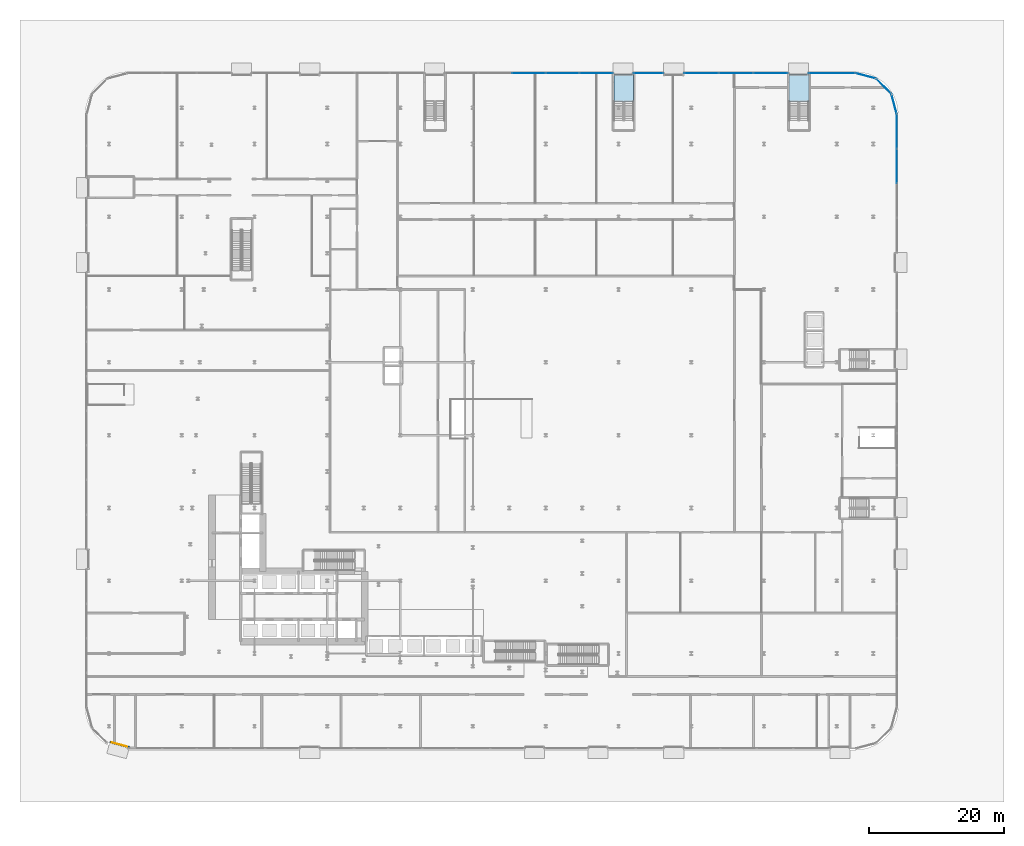
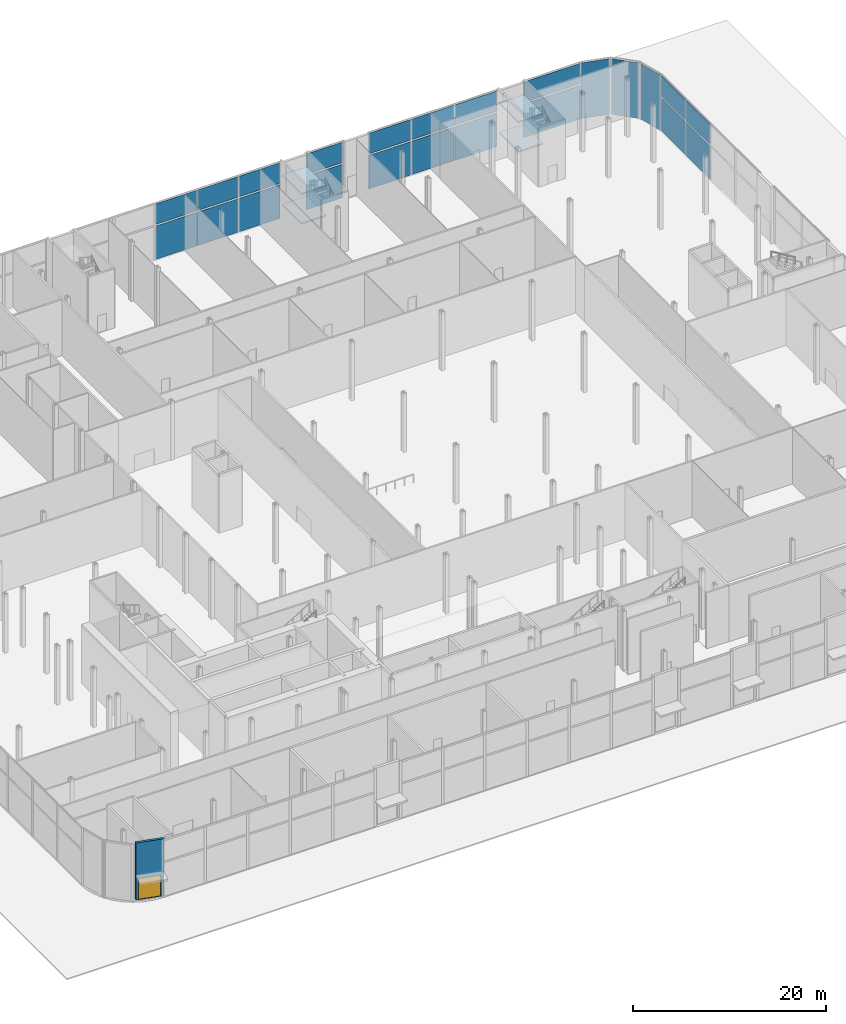
# One storey, part 22 of 46: 23 plates, 4 slabs, 1 door, 1 wall, 1 opening, 10 elements without a shape of their own.
"""IFC4 building model written with IfcOpenShell, lengths in metres."""

from ifc_helpers import new_model, si_unit, direction, frame, frame_2d, origin, origin_2d, place, context, subcontext, project, spatial, polyline, rectangle, outline, extrude, source, transform, mapped, material, layer, layer_set, type_object, element, fill, aggregate, save


model = new_model("IFC4")

# Units and contexts
model_context = context("Model", 3, precision=1e-05, world=origin(), true_north=direction((0.0, 1.0)))
body_context = subcontext(model_context, "Body", "Model", "MODEL_VIEW")
ifc_project = project(units=[si_unit("LENGTHUNIT", "METRE"), si_unit("AREAUNIT", "SQUARE_METRE"), si_unit("VOLUMEUNIT", "CUBIC_METRE"), si_unit("PLANEANGLEUNIT", "RADIAN"), si_unit("MASSUNIT", "GRAM", prefix="KILO")], contexts=[model_context])

# Site, building, storey
site_placement = place(None, origin())
site = spatial("IfcSite", under=ifc_project, at=site_placement, CompositionType="ELEMENT")
building_placement = place(site_placement, origin())
building = spatial("IfcBuilding", under=site, at=building_placement, Name="Kheshtan School and Residences Tower", CompositionType="ELEMENT")
storey_placement = place(building_placement, origin())
storey = spatial("IfcBuildingStorey", under=building, at=storey_placement, Name="L00", CompositionType="ELEMENT", Elevation=0.0)

# Curtain wall, plates
ifc_material_1 = material(Name="Clear low-e glass in thermally broken aluminium frame", Category="aluminium")
ifc_layer_1 = layer(ifc_material_1, 0.300048828125)
ifc_layer_set_1 = layer_set([ifc_layer_1], Name="Curtain wall CW-A")
curtain_wall_type = type_object("IfcCurtainWallType", Name="Curtain wall CW-A", PredefinedType="NOTDEFINED", material=ifc_layer_set_1)
curtain_wall_1_placement = place(storey_placement, origin())
curtain_wall_1 = element("IfcCurtainWall", 1, at=curtain_wall_1_placement, inside=storey, type_object=curtain_wall_type, Name="Curtain wall CWA4c", PredefinedType="NOTDEFINED")
ifc_layer_2 = layer(ifc_material_1, 0.0439453125)
ifc_layer_set_2 = layer_set([ifc_layer_2], Name="CW-A glass panel")
plate_type = type_object("IfcPlateType", Name="CW-A glass panel", PredefinedType="CURTAIN_PANEL", material=ifc_layer_set_2)
plate_1_placement = place(storey_placement, frame((77.489990234375, 110.10009765625, 0.0), z_axis=(0.0, 0.0, 1.0), x_axis=(1.0, 0.0, 0.0)))
plate_1 = element("IfcPlate", 2, at=plate_1_placement, type_object=plate_type, Name="CWA4c panel 3.1", PredefinedType="CURTAIN_PANEL", context=body_context, shape_type="SweptSolid", body=[
    extrude(rectangle(XDim=4.925048828125, YDim=0.0439453125, at=origin_2d()), origin(), (0.0, 0.0, 1.0), 4.25),
])
plate_2_placement = place(storey_placement, frame((77.489990234375, 110.10009765625, 4.449951171875), z_axis=(0.0, 0.0, 1.0), x_axis=(1.0, 0.0, 0.0)))
plate_2 = element("IfcPlate", 3, at=plate_2_placement, type_object=plate_type, Name="CWA4c panel 3.2", PredefinedType="CURTAIN_PANEL", context=body_context, shape_type="SweptSolid", body=[
    extrude(rectangle(XDim=4.925048828125, YDim=0.0439453125, at=origin_2d()), origin(), (0.0, 0.0, 1.0), 2.60009765625),
])
plate_3_placement = place(storey_placement, frame((82.489990234375, 110.10009765625, 0.0), z_axis=(0.0, 0.0, 1.0), x_axis=(1.0, 0.0, 0.0)))
plate_3 = element("IfcPlate", 4, at=plate_3_placement, type_object=plate_type, Name="CWA4c panel 4.1", PredefinedType="CURTAIN_PANEL", context=body_context, shape_type="SweptSolid", body=[
    extrude(rectangle(XDim=4.925048828125, YDim=0.0439453125, at=origin_2d()), origin(), (0.0, 0.0, 1.0), 4.25),
])
plate_4_placement = place(storey_placement, frame((82.489990234375, 110.10009765625, 4.449951171875), z_axis=(0.0, 0.0, 1.0), x_axis=(1.0, 0.0, 0.0)))
plate_4 = element("IfcPlate", 5, at=plate_4_placement, type_object=plate_type, Name="CWA4c panel 4.2", PredefinedType="CURTAIN_PANEL", context=body_context, shape_type="SweptSolid", body=[
    extrude(rectangle(XDim=4.925048828125, YDim=0.0439453125, at=origin_2d()), origin(), (0.0, 0.0, 1.0), 2.60009765625),
])
plate_5_placement = place(storey_placement, frame((87.47119140625, 110.10009765625, 0.0), z_axis=(0.0, 0.0, 1.0), x_axis=(1.0, 0.0, 0.0)))
plate_5 = element("IfcPlate", 6, at=plate_5_placement, type_object=plate_type, Name="CWA4c panel 5.1", PredefinedType="CURTAIN_PANEL", context=body_context, shape_type="SweptSolid", body=[
    extrude(rectangle(XDim=4.887451171875, YDim=0.0439453125, at=origin_2d()), origin(), (0.0, 0.0, 1.0), 4.25),
])
plate_6_placement = place(storey_placement, frame((87.47119140625, 110.10009765625, 4.449951171875), z_axis=(0.0, 0.0, 1.0), x_axis=(1.0, 0.0, 0.0)))
plate_6 = element("IfcPlate", 7, at=plate_6_placement, type_object=plate_type, Name="CWA4c panel 5.2", PredefinedType="CURTAIN_PANEL", context=body_context, shape_type="SweptSolid", body=[
    extrude(rectangle(XDim=4.887451171875, YDim=0.0439453125, at=origin_2d()), origin(), (0.0, 0.0, 1.0), 2.60009765625),
])
aggregate(curtain_wall_1, [plate_1, plate_2, plate_3, plate_4, plate_5, plate_6])

curtain_wall_2_placement = place(storey_placement, origin())
curtain_wall_2 = element("IfcCurtainWall", 8, at=curtain_wall_2_placement, inside=storey, type_object=curtain_wall_type, Name="Curtain wall CWA4d", PredefinedType="NOTDEFINED")
plate_7_placement = place(storey_placement, frame((95.2451171875, 110.10009765625, 0.0), z_axis=(0.0, 0.0, 1.0), x_axis=(1.0, 0.0, 0.0)))
plate_7 = element("IfcPlate", 9, at=plate_7_placement, type_object=plate_type, Name="CWA4d panel 1.1", PredefinedType="CURTAIN_PANEL", context=body_context, shape_type="SweptSolid", body=[
    extrude(rectangle(XDim=4.360107421875, YDim=0.0439453125, at=origin_2d()), origin(), (0.0, 0.0, 1.0), 4.25),
])
plate_8_placement = place(storey_placement, frame((95.2451171875, 110.10009765625, 4.449951171875), z_axis=(0.0, 0.0, 1.0), x_axis=(1.0, 0.0, 0.0)))
plate_8 = element("IfcPlate", 10, at=plate_8_placement, type_object=plate_type, Name="CWA4d panel 1.2", PredefinedType="CURTAIN_PANEL", context=body_context, shape_type="SweptSolid", body=[
    extrude(rectangle(XDim=4.360107421875, YDim=0.0439453125, at=origin_2d()), origin(), (0.0, 0.0, 1.0), 2.60009765625),
])
aggregate(curtain_wall_2, [plate_7, plate_8])

curtain_wall_3_placement = place(storey_placement, origin())
curtain_wall_3 = element("IfcCurtainWall", 11, at=curtain_wall_3_placement, inside=storey, type_object=curtain_wall_type, Name="Curtain wall CWA4b", PredefinedType="NOTDEFINED")
plate_9_placement = place(storey_placement, frame((103.100341796875, 110.10009765625, 0.0), z_axis=(0.0, 0.0, 1.0), x_axis=(1.0, 0.0, 0.0)))
plate_9 = element("IfcPlate", 12, at=plate_9_placement, type_object=plate_type, Name="CWA4b panel 1.1", PredefinedType="CURTAIN_PANEL", context=body_context, shape_type="SweptSolid", body=[
    extrude(rectangle(XDim=5.05078125, YDim=0.0439453125, at=origin_2d()), origin(), (0.0, 0.0, 1.0), 4.25),
])
plate_10_placement = place(storey_placement, frame((103.100341796875, 110.10009765625, 4.449951171875), z_axis=(0.0, 0.0, 1.0), x_axis=(1.0, 0.0, 0.0)))
plate_10 = element("IfcPlate", 13, at=plate_10_placement, type_object=plate_type, Name="CWA4b panel 1.2", PredefinedType="CURTAIN_PANEL", context=body_context, shape_type="SweptSolid", body=[
    extrude(rectangle(XDim=5.05078125, YDim=0.0439453125, at=origin_2d()), origin(), (0.0, 0.0, 1.0), 2.60009765625),
])
plate_11_placement = place(storey_placement, frame((108.2451171875, 110.10009765625, 0.0), z_axis=(0.0, 0.0, 1.0), x_axis=(1.0, 0.0, 0.0)))
plate_11 = element("IfcPlate", 14, at=plate_11_placement, type_object=plate_type, Name="CWA4b panel 2.1", PredefinedType="CURTAIN_PANEL", context=body_context, shape_type="SweptSolid", body=[
    extrude(rectangle(XDim=5.08837890625, YDim=0.0439453125, at=origin_2d()), origin(), (0.0, 0.0, 1.0), 4.25),
])
plate_12_placement = place(storey_placement, frame((108.2451171875, 110.10009765625, 4.449951171875), z_axis=(0.0, 0.0, 1.0), x_axis=(1.0, 0.0, 0.0)))
plate_12 = element("IfcPlate", 15, at=plate_12_placement, type_object=plate_type, Name="CWA4b panel 2.2", PredefinedType="CURTAIN_PANEL", context=body_context, shape_type="SweptSolid", body=[
    extrude(rectangle(XDim=5.08837890625, YDim=0.0439453125, at=origin_2d()), origin(), (0.0, 0.0, 1.0), 2.60009765625),
])
plate_13_placement = place(storey_placement, frame((113.3896484375, 110.10009765625, 0.0), z_axis=(0.0, 0.0, 1.0), x_axis=(1.0, 0.0, 0.0)))
plate_13 = element("IfcPlate", 16, at=plate_13_placement, type_object=plate_type, Name="CWA4b panel 3.1", PredefinedType="CURTAIN_PANEL", context=body_context, shape_type="SweptSolid", body=[
    extrude(rectangle(XDim=5.05078125, YDim=0.0439453125, at=origin_2d()), origin(), (0.0, 0.0, 1.0), 4.25),
])
plate_14_placement = place(storey_placement, frame((113.3896484375, 110.10009765625, 4.449951171875), z_axis=(0.0, 0.0, 1.0), x_axis=(1.0, 0.0, 0.0)))
plate_14 = element("IfcPlate", 17, at=plate_14_placement, type_object=plate_type, Name="CWA4b panel 3.2", PredefinedType="CURTAIN_PANEL", context=body_context, shape_type="SweptSolid", body=[
    extrude(rectangle(XDim=5.05078125, YDim=0.0439453125, at=origin_2d()), origin(), (0.0, 0.0, 1.0), 2.60009765625),
])
aggregate(curtain_wall_3, [plate_9, plate_10, plate_11, plate_12, plate_13, plate_14])

curtain_wall_4_placement = place(storey_placement, origin())
curtain_wall_4 = element("IfcCurtainWall", 18, at=curtain_wall_4_placement, inside=storey, type_object=curtain_wall_type, Name="Curtain wall CWA4e", PredefinedType="NOTDEFINED")
plate_15_placement = place(storey_placement, frame((122.4951171875, 110.10009765625, 0.0), z_axis=(0.0, 0.0, 1.0), x_axis=(1.0, 0.0, 0.0)))
plate_15 = element("IfcPlate", 19, at=plate_15_placement, type_object=plate_type, Name="CWA4e panel 1.1", PredefinedType="CURTAIN_PANEL", context=body_context, shape_type="SweptSolid", body=[
    extrude(rectangle(XDim=6.860107421875, YDim=0.0439453125, at=origin_2d()), origin(), (0.0, 0.0, 1.0), 4.25),
])
plate_16_placement = place(storey_placement, frame((122.4951171875, 110.10009765625, 4.449951171875), z_axis=(0.0, 0.0, 1.0), x_axis=(1.0, 0.0, 0.0)))
plate_16 = element("IfcPlate", 20, at=plate_16_placement, type_object=plate_type, Name="CWA4e panel 1.2", PredefinedType="CURTAIN_PANEL", context=body_context, shape_type="SweptSolid", body=[
    extrude(rectangle(XDim=6.860107421875, YDim=0.0439453125, at=origin_2d()), origin(), (0.0, 0.0, 1.0), 2.60009765625),
])
aggregate(curtain_wall_4, [plate_15, plate_16])

# Curtain wall, plate
curtain_wall_5_placement = place(storey_placement, origin())
curtain_wall_5 = element("IfcCurtainWall", 21, at=curtain_wall_5_placement, inside=storey, type_object=curtain_wall_type, Name="Curtain wall CWA5", PredefinedType="NOTDEFINED")
plate_17_placement = place(storey_placement, frame((127.477783203125, 109.70751953125, 0.0), z_axis=(0.0, 0.0, 1.0), x_axis=(0.965913556273, -0.258864833085, 0.0)))
plate_17 = element("IfcPlate", 22, at=plate_17_placement, type_object=plate_type, Name="CWA5 panel 1.1", PredefinedType="CURTAIN_PANEL", context=body_context, shape_type="SweptSolid", body=[
    extrude(rectangle(XDim=3.055419921875, YDim=0.0439453125, at=origin_2d()), origin(), (0.0, 0.0, 1.0), 7.050048828125),
])
aggregate(curtain_wall_5, [plate_17])

curtain_wall_6_placement = place(storey_placement, origin())
curtain_wall_6 = element("IfcCurtainWall", 23, at=curtain_wall_6_placement, inside=storey, type_object=curtain_wall_type, Name="Curtain wall CWA6", PredefinedType="NOTDEFINED")
plate_18_placement = place(storey_placement, frame((130.168701171875, 108.168701171875, 0.0), z_axis=(0.0, 0.0, 1.0), x_axis=(0.707106781187, -0.707106781187, 0.0)))
plate_18 = element("IfcPlate", 24, at=plate_18_placement, type_object=plate_type, Name="CWA6 panel 1.1", PredefinedType="CURTAIN_PANEL", context=body_context, shape_type="SweptSolid", body=[
    extrude(rectangle(XDim=2.95556640625, YDim=0.0439453125, at=origin_2d()), origin(), (0.0, 0.0, 1.0), 7.050048828125),
])
aggregate(curtain_wall_6, [plate_18])

curtain_wall_7_placement = place(storey_placement, origin())
curtain_wall_7 = element("IfcCurtainWall", 25, at=curtain_wall_7_placement, inside=storey, type_object=curtain_wall_type, Name="Curtain wall CWA7", PredefinedType="NOTDEFINED")
plate_19_placement = place(storey_placement, frame((131.694580078125, 105.52587890625, 0.0), z_axis=(0.0, 0.0, 1.0), x_axis=(0.258864833085, -0.965913556273, 0.0)))
plate_19 = element("IfcPlate", 26, at=plate_19_placement, type_object=plate_type, Name="CWA7 panel 1.1", PredefinedType="CURTAIN_PANEL", context=body_context, shape_type="SweptSolid", body=[
    extrude(rectangle(XDim=2.955810546875, YDim=0.0439453125, at=origin_2d()), origin(), (0.0, 0.0, 1.0), 7.050048828125),
])
aggregate(curtain_wall_7, [plate_19])

# Curtain wall, plates
curtain_wall_8_placement = place(storey_placement, origin())
curtain_wall_8 = element("IfcCurtainWall", 27, at=curtain_wall_8_placement, inside=storey, type_object=curtain_wall_type, Name="Curtain wall CWA8", PredefinedType="NOTDEFINED")
plate_20_placement = place(storey_placement, frame((132.10009765625, 101.468505859375, 0.0), z_axis=(0.0, 0.0, 1.0), x_axis=(0.0, -1.0, 0.0)))
plate_20 = element("IfcPlate", 28, at=plate_20_placement, type_object=plate_type, Name="CWA8 panel 1.1", PredefinedType="CURTAIN_PANEL", context=body_context, shape_type="SweptSolid", body=[
    extrude(rectangle(XDim=5.112060546875, YDim=0.0439453125, at=origin_2d()), origin(), (0.0, 0.0, 1.0), 4.25),
])
plate_21_placement = place(storey_placement, frame((132.10009765625, 101.468505859375, 4.449951171875), z_axis=(0.0, 0.0, 1.0), x_axis=(0.0, -1.0, 0.0)))
plate_21 = element("IfcPlate", 29, at=plate_21_placement, type_object=plate_type, Name="CWA8 panel 1.2", PredefinedType="CURTAIN_PANEL", context=body_context, shape_type="SweptSolid", body=[
    extrude(rectangle(XDim=5.112060546875, YDim=0.0439453125, at=origin_2d()), origin(), (0.0, 0.0, 1.0), 2.60009765625),
])
plate_22_placement = place(storey_placement, frame((132.10009765625, 96.3125, 0.0), z_axis=(0.0, 0.0, 1.0), x_axis=(0.0, -1.0, 0.0)))
plate_22 = element("IfcPlate", 30, at=plate_22_placement, type_object=plate_type, Name="CWA8 panel 2.1", PredefinedType="CURTAIN_PANEL", context=body_context, shape_type="SweptSolid", body=[
    extrude(rectangle(XDim=5.050048828125, YDim=0.0439453125, at=origin_2d()), origin(), (0.0, 0.0, 1.0), 4.25),
])
plate_23_placement = place(storey_placement, frame((132.10009765625, 96.3125, 4.449951171875), z_axis=(0.0, 0.0, 1.0), x_axis=(0.0, -1.0, 0.0)))
plate_23 = element("IfcPlate", 31, at=plate_23_placement, type_object=plate_type, Name="CWA8 panel 2.2", PredefinedType="CURTAIN_PANEL", context=body_context, shape_type="SweptSolid", body=[
    extrude(rectangle(XDim=5.050048828125, YDim=0.0439453125, at=origin_2d()), origin(), (0.0, 0.0, 1.0), 2.60009765625),
])
aggregate(curtain_wall_8, [plate_20, plate_21, plate_22, plate_23])

# Stair, slabs
ifc_material_2 = material(Name="Concrete C40/50", Category="concrete")
stair_type = type_object("IfcStairType", Name="Exit stair, half-turn", PredefinedType="HALF_TURN_STAIR", material=ifc_material_2)
stair_1_placement = place(storey_placement, origin())
stair_1 = element("IfcStair", 32, at=stair_1_placement, inside=storey, type_object=stair_type, Name="L00 School Exit Stair 090-102", PredefinedType="HALF_TURN_STAIR")
ifc_layer_3 = layer(ifc_material_2, 0.199951171875)
ifc_layer_set_3 = layer_set([ifc_layer_3], Name="Stair landing 200 Concrete C40/50")
slab_type = type_object("IfcSlabType", Name="Stair landing 200 Concrete C40/50", PredefinedType="LANDING", material=ifc_layer_set_3)
slab_1_placement = place(storey_placement, frame((0.0, 0.0, 1.675048828125)))
slab_1 = element("IfcSlab", 33, at=slab_1_placement, type_object=slab_type, Name="PS-090-102 landing 1", PredefinedType="LANDING", context=body_context, shape_type="SweptSolid", body=[
    extrude(outline(polyline([(93.050048828125, 105.89990234375), (93.050048828125, 109.89990234375), (90.10009765625, 109.89990234375), (90.10009765625, 105.89990234375), (93.050048828125, 105.89990234375)])), origin(), (0.0, 0.0, 1.0), 0.199951171875),
])
slab_2_placement = place(storey_placement, frame((0.0, 0.0, 5.425048828125)))
slab_2 = element("IfcSlab", 34, at=slab_2_placement, type_object=slab_type, Name="PS-090-102 landing 3", PredefinedType="LANDING", context=body_context, shape_type="SweptSolid", body=[
    extrude(outline(polyline([(93.050048828125, 105.89990234375), (93.050048828125, 109.89990234375), (90.10009765625, 109.89990234375), (90.10009765625, 105.89990234375), (93.050048828125, 105.89990234375)])), origin(), (0.0, 0.0, 1.0), 0.199951171875),
])
aggregate(stair_1, [slab_1, slab_2])

stair_2_placement = place(storey_placement, origin())
stair_2 = element("IfcStair", 35, at=stair_2_placement, inside=storey, type_object=stair_type, Name="L00 School Exit Stair 116-102", PredefinedType="HALF_TURN_STAIR")
slab_3_placement = place(storey_placement, frame((0.0, 0.0, 1.675048828125)))
slab_3 = element("IfcSlab", 36, at=slab_3_placement, type_object=slab_type, Name="PS-116-102 landing 1", PredefinedType="LANDING", context=body_context, shape_type="SweptSolid", body=[
    extrude(outline(polyline([(119.050048828125, 105.89990234375), (119.050048828125, 109.89990234375), (116.10009765625, 109.89990234375), (116.10009765625, 105.89990234375), (119.050048828125, 105.89990234375)])), origin(), (0.0, 0.0, 1.0), 0.199951171875),
])
slab_4_placement = place(storey_placement, frame((0.0, 0.0, 5.425048828125)))
slab_4 = element("IfcSlab", 37, at=slab_4_placement, type_object=slab_type, Name="PS-116-102 landing 3", PredefinedType="LANDING", context=body_context, shape_type="SweptSolid", body=[
    extrude(outline(polyline([(119.050048828125, 105.89990234375), (119.050048828125, 109.89990234375), (116.10009765625, 109.89990234375), (116.10009765625, 105.89990234375), (119.050048828125, 105.89990234375)])), origin(), (0.0, 0.0, 1.0), 0.199951171875),
])
aggregate(stair_2, [slab_3, slab_4])

# Wall, opening, door
ifc_material_3 = material(Name="Concrete C40/50 with ceramic cladding and mineral wool insulation", Category="concrete")
ifc_layer_4 = layer(ifc_material_3, 0.300048828125)
ifc_layer_set_4 = layer_set([ifc_layer_4], Name="Podium external wall 300")
wall_type = type_object("IfcWallType", Name="Podium external wall 300", PredefinedType="SOLIDWALL", material=ifc_layer_set_4)
wall_placement = place(storey_placement, frame((18.22607421875, 10.094970703125, 0.0), z_axis=(0.0, 0.0, 1.0), x_axis=(-0.965935698168, 0.258782199939, 0.0)))
wall = element("IfcWall", 38, at=wall_placement, inside=storey, type_object=wall_type, Name="Podium external wall L00 13.1", PredefinedType="SOLIDWALL", context=body_context, shape_type="SweptSolid", body=[
    extrude(rectangle(XDim=2.9990234375, YDim=0.300048828125, at=frame_2d((1.49951171875, 0.0))), origin(), (0.0, 0.0, 1.0), 7.25),
])
opening_placement = place(wall_placement, frame((0.300048828125, 0.0, 0.0)))
opening = element("IfcOpeningElement", 39, at=opening_placement, cuts=wall, Name="Opening ED", PredefinedType="OPENING", context=body_context, shape_type="SweptSolid", body=[
    extrude(rectangle(XDim=2.39990234375, YDim=2.699951171875, at=frame_2d((1.199951171875, 1.35009765625))), frame((0.0, 0.16015625, 0.0), z_axis=(0.0, -1.0, 0.0), x_axis=(1.0, 0.0, 0.0)), (0.0, 0.0, 1.0), 0.320068359375),
])
door_type = type_object("IfcDoorType", Name="Entrance double door", OperationType="DOUBLE_DOOR_SINGLE_SWING", PredefinedType="DOOR", material=ifc_material_1)
shared_shape = source(origin(), body_context, "Body", "SweptSolid", [
    extrude(rectangle(XDim=2.39990234375, YDim=2.699951171875, at=frame_2d((1.199951171875, 1.35009765625))), frame((0.0, 0.02490234375, 0.0), z_axis=(0.0, -1.0, 0.0), x_axis=(1.0, 0.0, 0.0)), (0.0, 0.0, 1.0), 0.050048828125),
])
door_placement = place(opening_placement, origin())
door = element("IfcDoor", 40, at=door_placement, inside=storey, type_object=door_type, Name="Entrance door 13.1", OperationType="DOUBLE_DOOR_SINGLE_SWING", OverallHeight=2.699951171875, OverallWidth=2.39990234375, PredefinedType="DOOR", context=body_context, shape_type="MappedRepresentation", body=[
    mapped(shared_shape, transform((0.0, 0.0, 0.0), x_axis=(1.0, 0.0, 0.0), y_axis=(0.0, 1.0, 0.0), z_axis=(0.0, 0.0, 1.0), scale=1.0)),
])
fill(opening, door)

save(model, "model.ifc")
